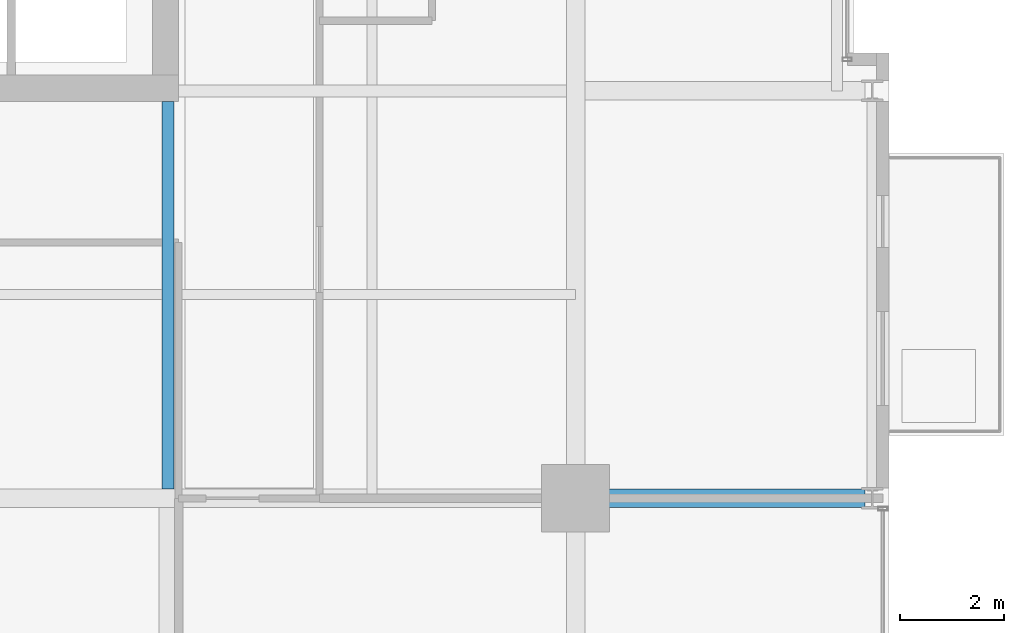
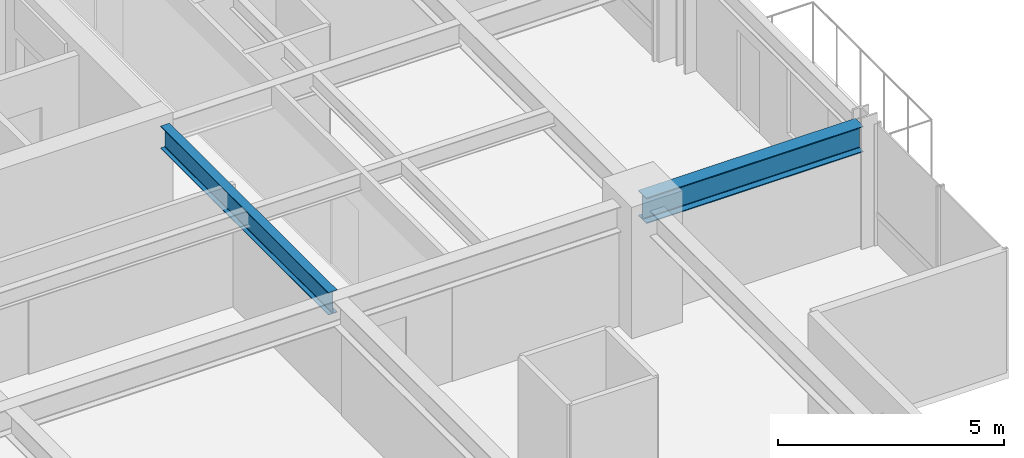
# One storey, part 12 of 33: 2 beams.
"""IFC4 building model written with IfcOpenShell, lengths in metres."""

from ifc_helpers import new_model, si_unit, direction, frame, origin, origin_2d, place, context, subcontext, project, spatial, i_section, extrude, material, material_profile, profile_set, type_object, element, save


model = new_model("IFC4")

# Units and contexts
model_context = context("Model", 3, precision=1e-05, world=origin(), true_north=direction((0.0, 1.0)))
body_context = subcontext(model_context, "Body", "Model", "MODEL_VIEW")
ifc_project = project(units=[si_unit("LENGTHUNIT", "METRE"), si_unit("AREAUNIT", "SQUARE_METRE"), si_unit("VOLUMEUNIT", "CUBIC_METRE"), si_unit("PLANEANGLEUNIT", "RADIAN"), si_unit("MASSUNIT", "GRAM", prefix="KILO")], contexts=[model_context])

# Site, building, storey
site_placement = place(None, origin())
site = spatial("IfcSite", under=ifc_project, at=site_placement, CompositionType="ELEMENT")
building_placement = place(site_placement, origin())
building = spatial("IfcBuilding", under=site, at=building_placement, Name="Drelvath Grand Hotel", CompositionType="ELEMENT")
storey_placement = place(building_placement, frame((0.0, 0.0, 168.14990234375)))
storey = spatial("IfcBuildingStorey", under=building, at=storey_placement, Name="L43", CompositionType="ELEMENT", Elevation=168.14990234375)

# Beams
ifc_material = material(Name="Steel ASTM A992 Gr 50", Category="steel")
ifc_material_profile_1 = material_profile(ifc_material, i_section(OverallWidth=0.228271484375, OverallDepth=0.607666015625, WebThickness=0.01123046875, FlangeThickness=0.017333984375, FilletRadius=0.02001953125, at=origin_2d()), Name="W24X76")
ifc_profile_set_1 = profile_set([ifc_material_profile_1], Name="Steel ASTM A992 Gr 50")
beam_type_1 = type_object("IfcBeamType", Name="Primary Floor Girder W24X76", PredefinedType="BEAM", material=ifc_profile_set_1)
beam_1_placement = place(storey_placement, frame((8.39990234375, 10.977294921875, 2.986328125), z_axis=(0.0, 1.0, 0.0), x_axis=(-1.0, 0.0, 0.0)))
element("IfcBeam", 1, at=beam_1_placement, inside=storey, type_object=beam_type_1, Name="L43 South Core Tie 6", PredefinedType="BEAM", context=body_context, shape_type="SweptSolid", body=[
    extrude(i_section(OverallWidth=0.228271484375, OverallDepth=0.607666015625, WebThickness=0.01123046875, FlangeThickness=0.017333984375, FilletRadius=0.02001953125, at=origin_2d()), origin(), (0.0, 0.0, 1.0), 7.422607421875),
])
ifc_material_profile_2 = material_profile(ifc_material, i_section(OverallWidth=0.354736328125, OverallDepth=0.695556640625, WebThickness=0.015380859375, FlangeThickness=0.025146484375, FilletRadius=0.02392578125, at=origin_2d()), Name="W27X146")
ifc_profile_set_2 = profile_set([ifc_material_profile_2], Name="Steel ASTM A992 Gr 50")
beam_type_2 = type_object("IfcBeamType", Name="Primary Floor Girder W27X146", PredefinedType="BEAM", material=ifc_profile_set_2)
beam_2_placement = place(storey_placement, frame((16.199951171875, 10.800048828125, 2.9423828125), z_axis=(1.0, 0.0, 0.0), x_axis=(0.0, 1.0, 0.0)))
element("IfcBeam", 2, at=beam_2_placement, inside=storey, type_object=beam_type_2, Name="L43 East Grid Girder C", PredefinedType="BEAM", context=body_context, shape_type="SweptSolid", body=[
    extrude(i_section(OverallWidth=0.354736328125, OverallDepth=0.695556640625, WebThickness=0.015380859375, FlangeThickness=0.025146484375, FilletRadius=0.02392578125, at=origin_2d()), origin(), (0.0, 0.0, 1.0), 5.5400390625),
])

save(model, "model.ifc")
